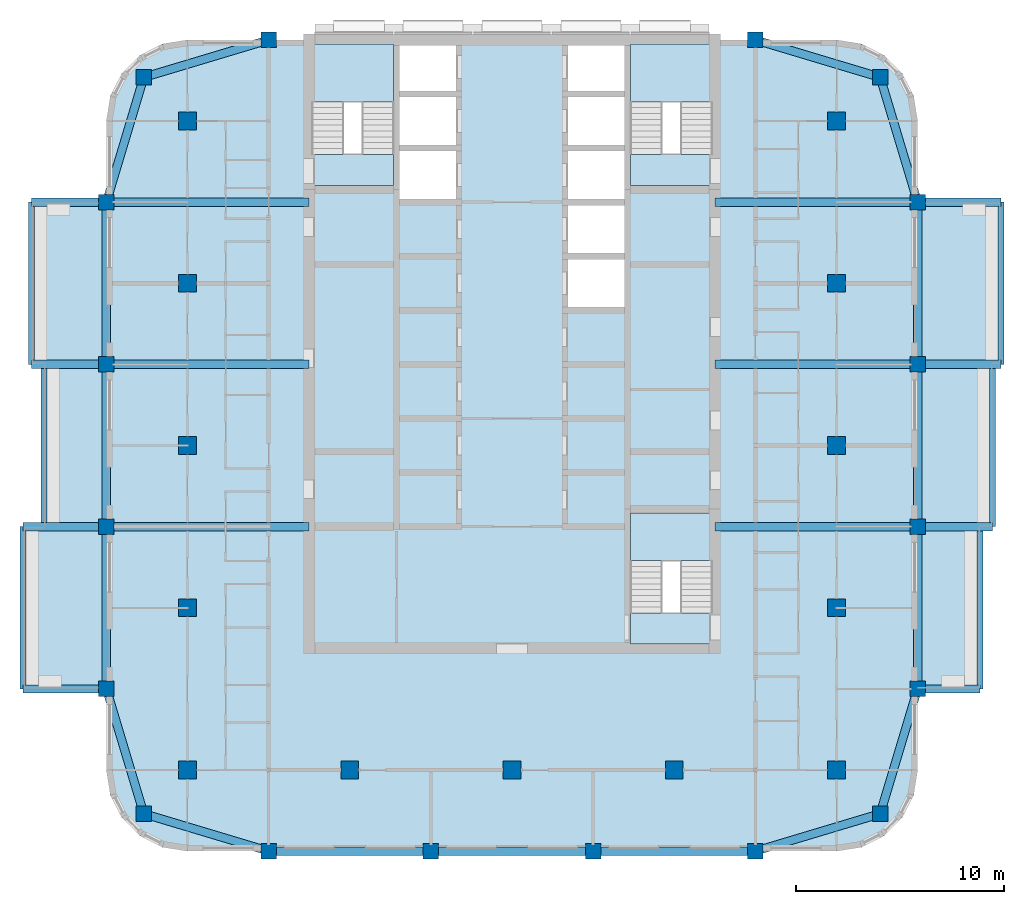
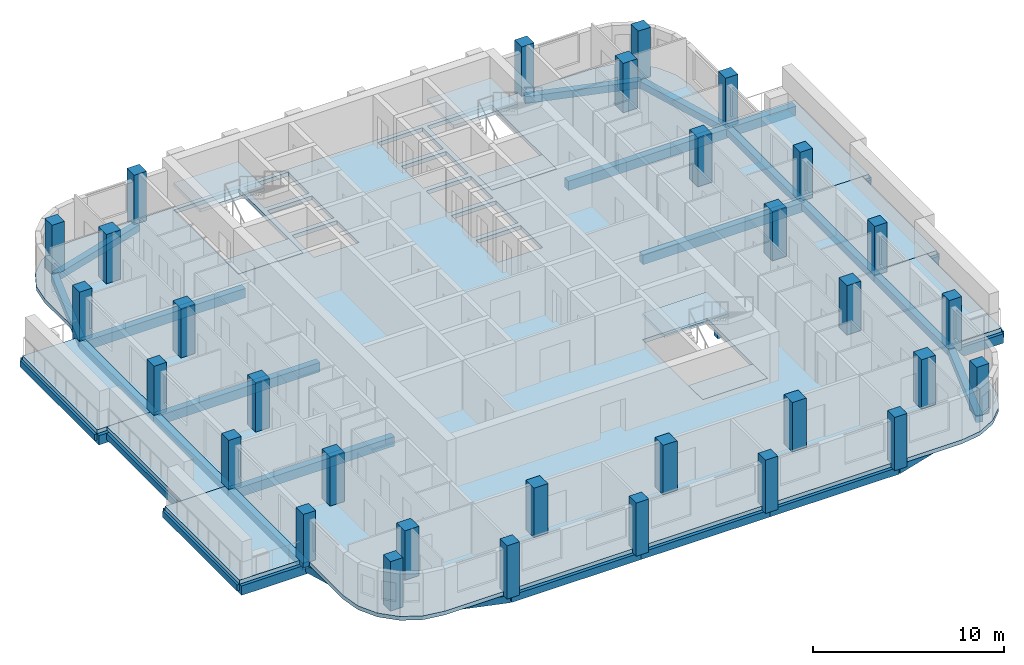
# One storey, part 1 of 13: 37 beams, 31 columns, 13 slabs, 3 elements without a shape of their own.
"""IFC4 building model written with IfcOpenShell, lengths in metres."""

from ifc_helpers import new_model, si_unit, direction, frame, origin, origin_2d, place, context, subcontext, project, spatial, polyline, rectangle, outline, extrude, material, layer, layer_set, material_profile, profile_set, type_object, element, aggregate, save


model = new_model("IFC4")

# Units and contexts
model_context = context("Model", 3, precision=1e-05, world=origin(), true_north=direction((0.0, 1.0)))
body_context = subcontext(model_context, "Body", "Model", "MODEL_VIEW")
ifc_project = project(units=[si_unit("LENGTHUNIT", "METRE"), si_unit("AREAUNIT", "SQUARE_METRE"), si_unit("VOLUMEUNIT", "CUBIC_METRE"), si_unit("PLANEANGLEUNIT", "RADIAN"), si_unit("MASSUNIT", "GRAM", prefix="KILO")], contexts=[model_context])

# Site, building, storey
site_placement = place(None, origin())
site = spatial("IfcSite", under=ifc_project, at=site_placement, CompositionType="ELEMENT")
building_placement = place(site_placement, origin())
building = spatial("IfcBuilding", under=site, at=building_placement, Name="Ludao Terraces", CompositionType="ELEMENT")
storey_placement = place(building_placement, frame((0.0, 0.0, 152.0)))
storey = spatial("IfcBuildingStorey", under=building, at=storey_placement, Name="L41", CompositionType="ELEMENT", Elevation=152.0)

# Columns
ifc_material_1 = material(Name="Concrete C45", Category="concrete")
ifc_material_profile_1 = material_profile(ifc_material_1, rectangle(XDim=0.75, YDim=0.75, at=origin_2d()), Name="750 X 750")
ifc_profile_set_1 = profile_set([ifc_material_profile_1], Name="Concrete C45")
column_type_1 = type_object("IfcColumnType", Name="RC column 750x750 C45", PredefinedType="COLUMN", material=ifc_profile_set_1)
for number, where, z_axis, x_axis, name in (
    (1, (67.300048828125, 47.300048828125, -0.25), (0.0, 0.0, 1.0), (1.0, 0.0, 0.0), "Column L41 C0057x0057"),
    (2, (102.699951171875, 47.300048828125, -0.25), (0.0, 0.0, 1.0), (1.0, 0.0, 0.0), "Column L41 C0411x0057"),
    (3, (67.300048828125, 82.699951171875, -0.25), (0.0, 0.0, 1.0), (1.0, 0.0, 0.0), "Column L41 C0057x0411"),
    (4, (102.699951171875, 82.699951171875, -0.25), (0.0, 0.0, 1.0), (1.0, 0.0, 0.0), "Column L41 C0411x0411"),
    (5, (65.5, 53.300048828125, -0.25), (0.0, 0.0, 1.0), (1.0, 0.0, 0.0), "Column L41 W0039x0117"),
    (6, (104.5, 53.300048828125, -0.25), (0.0, 0.0, 1.0), (1.0, 0.0, 0.0), "Column L41 W0429x0117"),
    (7, (73.300048828125, 45.5, -0.25), (0.0, 0.0, 1.0), (1.0, 0.0, 0.0), "Column L41 W0117x0039"),
    (8, (73.300048828125, 84.5, -0.25), (0.0, 0.0, 1.0), (1.0, 0.0, 0.0), "Column L41 W0117x0429"),
    (9, (65.5, 61.10009765625, -0.25), (0.0, 0.0, 1.0), (1.0, 0.0, 0.0), "Column L41 W0039x0195"),
    (10, (104.5, 61.10009765625, -0.25), (0.0, 0.0, 1.0), (1.0, 0.0, 0.0), "Column L41 W0429x0195"),
    (11, (81.10009765625, 45.5, -0.25), (0.0, 0.0, 1.0), (1.0, 0.0, 0.0), "Column L41 W0195x0039"),
    (12, (65.5, 68.89990234375, -0.25), (0.0, 0.0, 1.0), (1.0, 0.0, 0.0), "Column L41 W0039x0273"),
    (13, (104.5, 68.89990234375, -0.25), (0.0, 0.0, 1.0), (1.0, 0.0, 0.0), "Column L41 W0429x0273"),
    (14, (88.89990234375, 45.5, -0.25), (0.0, 0.0, 1.0), (1.0, 0.0, 0.0), "Column L41 W0273x0039"),
    (15, (65.5, 76.699951171875, -0.25), (0.0, 0.0, 1.0), (1.0, 0.0, 0.0), "Column L41 W0039x0351"),
    (16, (104.5, 76.699951171875, -0.25), (0.0, 0.0, 1.0), (1.0, 0.0, 0.0), "Column L41 W0429x0351"),
    (17, (96.699951171875, 45.5, -0.25), (0.0, 0.0, 1.0), (1.0, 0.0, 0.0), "Column L41 W0351x0039"),
    (18, (96.699951171875, 84.5, -0.25), (0.0, 0.0, 1.0), (1.0, 0.0, 0.0), "Column L41 W0351x0429"),
):
    element("IfcColumn", number, at=place(storey_placement, frame(where, z_axis=z_axis, x_axis=x_axis)), inside=storey, type_object=column_type_1, Name=name, PredefinedType="COLUMN", context=body_context, shape_type="SweptSolid", body=[
        extrude(rectangle(XDim=0.75, YDim=0.75, at=origin_2d()), origin(), (0.0, 0.0, 1.0), 3.39990234375),
    ])
ifc_material_profile_2 = material_profile(ifc_material_1, rectangle(XDim=0.85009765625, YDim=0.85009765625, at=origin_2d()), Name="850 X 850")
ifc_profile_set_2 = profile_set([ifc_material_profile_2], Name="Concrete C45")
column_type_2 = type_object("IfcColumnType", Name="RC column 850x850 C45", PredefinedType="COLUMN", material=ifc_profile_set_2)
for number, where, z_axis, x_axis, name in (
    (19, (69.39990234375, 49.39990234375, -0.25), (0.0, 0.0, 1.0), (1.0, 0.0, 0.0), "Column L41 S0078x0078"),
    (20, (69.39990234375, 57.199951171875, -0.25), (0.0, 0.0, 1.0), (1.0, 0.0, 0.0), "Column L41 S0078x0156"),
    (21, (69.39990234375, 65.0, -0.25), (0.0, 0.0, 1.0), (1.0, 0.0, 0.0), "Column L41 S0078x0234"),
    (22, (69.39990234375, 72.800048828125, -0.25), (0.0, 0.0, 1.0), (1.0, 0.0, 0.0), "Column L41 S0078x0312"),
    (23, (69.39990234375, 80.60009765625, -0.25), (0.0, 0.0, 1.0), (1.0, 0.0, 0.0), "Column L41 S0078x0390"),
    (24, (77.199951171875, 49.39990234375, -0.25), (0.0, 0.0, 1.0), (1.0, 0.0, 0.0), "Column L41 S0156x0078"),
    (25, (85.0, 49.39990234375, -0.25), (0.0, 0.0, 1.0), (1.0, 0.0, 0.0), "Column L41 S0234x0078"),
    (26, (92.800048828125, 49.39990234375, -0.25), (0.0, 0.0, 1.0), (1.0, 0.0, 0.0), "Column L41 S0312x0078"),
    (27, (100.60009765625, 49.39990234375, -0.25), (0.0, 0.0, 1.0), (1.0, 0.0, 0.0), "Column L41 S0390x0078"),
    (28, (100.60009765625, 57.199951171875, -0.25), (0.0, 0.0, 1.0), (1.0, 0.0, 0.0), "Column L41 S0390x0156"),
    (29, (100.60009765625, 65.0, -0.25), (0.0, 0.0, 1.0), (1.0, 0.0, 0.0), "Column L41 S0390x0234"),
    (30, (100.60009765625, 72.800048828125, -0.25), (0.0, 0.0, 1.0), (1.0, 0.0, 0.0), "Column L41 S0390x0312"),
    (31, (100.60009765625, 80.60009765625, -0.25), (0.0, 0.0, 1.0), (1.0, 0.0, 0.0), "Column L41 S0390x0390"),
):
    element("IfcColumn", number, at=place(storey_placement, frame(where, z_axis=z_axis, x_axis=x_axis)), inside=storey, type_object=column_type_2, Name=name, PredefinedType="COLUMN", context=body_context, shape_type="SweptSolid", body=[
        extrude(rectangle(XDim=0.85009765625, YDim=0.85009765625, at=origin_2d()), origin(), (0.0, 0.0, 1.0), 3.39990234375),
    ])

# Beams
ifc_material_2 = material(Name="Concrete C40", Category="concrete")
ifc_material_profile_3 = material_profile(ifc_material_2, rectangle(XDim=0.300048828125, YDim=0.39990234375, at=origin_2d()), Name="300 X 400")
ifc_profile_set_3 = profile_set([ifc_material_profile_3], Name="Concrete C40")
beam_type_1 = type_object("IfcBeamType", Name="RC beam 300x400 C40", PredefinedType="BEAM", material=ifc_profile_set_3)
beam_1_placement = place(storey_placement, frame((107.5, 53.300048828125, -0.449951171875), z_axis=(0.0, 1.0, 0.0), x_axis=(-1.0, 0.0, 0.0)))
element("IfcBeam", 32, at=beam_1_placement, inside=storey, type_object=beam_type_1, Name="Balcony edge beam L41 E1", PredefinedType="BEAM", context=body_context, shape_type="SweptSolid", body=[
    extrude(rectangle(XDim=0.300048828125, YDim=0.39990234375, at=origin_2d()), origin(), (0.0, 0.0, 1.0), 7.800048828125),
])
beam_2_placement = place(storey_placement, frame((108.10009765625, 61.10009765625, -0.449951171875), z_axis=(0.0, 1.0, 0.0), x_axis=(-1.0, 0.0, 0.0)))
element("IfcBeam", 33, at=beam_2_placement, inside=storey, type_object=beam_type_1, Name="Balcony edge beam L41 E2", PredefinedType="BEAM", context=body_context, shape_type="SweptSolid", body=[
    extrude(rectangle(XDim=0.300048828125, YDim=0.39990234375, at=origin_2d()), origin(), (0.0, 0.0, 1.0), 7.7998046875),
])
for number, where, z_axis, x_axis, name in (
    (34, (108.5, 68.89990234375, -0.449951171875), (0.0, 1.0, 0.0), (-1.0, 0.0, 0.0), "Balcony edge beam L41 E3"),
    (35, (61.5, 53.300048828125, -0.449951171875), (0.0, 1.0, 0.0), (-1.0, 0.0, 0.0), "Balcony edge beam L41 W1"),
):
    element("IfcBeam", number, at=place(storey_placement, frame(where, z_axis=z_axis, x_axis=x_axis)), inside=storey, type_object=beam_type_1, Name=name, PredefinedType="BEAM", context=body_context, shape_type="SweptSolid", body=[
        extrude(rectangle(XDim=0.300048828125, YDim=0.39990234375, at=origin_2d()), origin(), (0.0, 0.0, 1.0), 7.800048828125),
    ])
beam_3_placement = place(storey_placement, frame((62.5, 61.10009765625, -0.449951171875), z_axis=(0.0, 1.0, 0.0), x_axis=(-1.0, 0.0, 0.0)))
element("IfcBeam", 36, at=beam_3_placement, inside=storey, type_object=beam_type_1, Name="Balcony edge beam L41 W2", PredefinedType="BEAM", context=body_context, shape_type="SweptSolid", body=[
    extrude(rectangle(XDim=0.300048828125, YDim=0.39990234375, at=origin_2d()), origin(), (0.0, 0.0, 1.0), 7.7998046875),
])
beam_4_placement = place(storey_placement, frame((61.89990234375, 68.89990234375, -0.449951171875), z_axis=(0.0, 1.0, 0.0), x_axis=(-1.0, 0.0, 0.0)))
element("IfcBeam", 37, at=beam_4_placement, inside=storey, type_object=beam_type_1, Name="Balcony edge beam L41 W3", PredefinedType="BEAM", context=body_context, shape_type="SweptSolid", body=[
    extrude(rectangle(XDim=0.300048828125, YDim=0.39990234375, at=origin_2d()), origin(), (0.0, 0.0, 1.0), 7.800048828125),
])
ifc_material_profile_4 = material_profile(ifc_material_2, rectangle(XDim=0.39990234375, YDim=0.449951171875, at=origin_2d()), Name="400 X 450")
ifc_profile_set_4 = profile_set([ifc_material_profile_4], Name="Concrete C40")
beam_type_2 = type_object("IfcBeamType", Name="RC beam 400x450 C40", PredefinedType="BEAM", material=ifc_profile_set_4)
beam_5_placement = place(storey_placement, frame((67.300048828125, 47.300048828125, -0.47509765625), z_axis=(0.957824139839, -0.287355036744, 0.0), x_axis=(0.287355036744, 0.957824139839, 0.0)))
element("IfcBeam", 38, at=beam_5_placement, inside=storey, type_object=beam_type_2, Name="Spandrel beam L41 S1", PredefinedType="BEAM", context=body_context, shape_type="SweptSolid", body=[
    extrude(rectangle(XDim=0.39990234375, YDim=0.449951171875, at=origin_2d()), origin(), (0.0, 0.0, 1.0), 6.26416015625),
])
beam_6_placement = place(storey_placement, frame((73.300048828125, 45.5, -0.47509765625), z_axis=(1.0, 0.0, 0.0), x_axis=(0.0, 1.0, 0.0)))
element("IfcBeam", 39, at=beam_6_placement, inside=storey, type_object=beam_type_2, Name="Spandrel beam L41 S2", PredefinedType="BEAM", context=body_context, shape_type="SweptSolid", body=[
    extrude(rectangle(XDim=0.39990234375, YDim=0.449951171875, at=origin_2d()), origin(), (0.0, 0.0, 1.0), 7.800048828125),
])
beam_7_placement = place(storey_placement, frame((81.10009765625, 45.5, -0.47509765625), z_axis=(1.0, 0.0, 0.0), x_axis=(0.0, 1.0, 0.0)))
element("IfcBeam", 40, at=beam_7_placement, inside=storey, type_object=beam_type_2, Name="Spandrel beam L41 S3", PredefinedType="BEAM", context=body_context, shape_type="SweptSolid", body=[
    extrude(rectangle(XDim=0.39990234375, YDim=0.449951171875, at=origin_2d()), origin(), (0.0, 0.0, 1.0), 7.7998046875),
])
beam_8_placement = place(storey_placement, frame((88.89990234375, 45.5, -0.47509765625), z_axis=(1.0, 0.0, 0.0), x_axis=(0.0, 1.0, 0.0)))
element("IfcBeam", 41, at=beam_8_placement, inside=storey, type_object=beam_type_2, Name="Spandrel beam L41 S4", PredefinedType="BEAM", context=body_context, shape_type="SweptSolid", body=[
    extrude(rectangle(XDim=0.39990234375, YDim=0.449951171875, at=origin_2d()), origin(), (0.0, 0.0, 1.0), 7.800048828125),
])
for number, where, z_axis, x_axis, name in (
    (42, (96.699951171875, 45.5, -0.47509765625), (0.957824139839, 0.287355036744, 0.0), (-0.287355036744, 0.957824139839, 0.0), "Spandrel beam L41 S5"),
    (43, (67.300048828125, 82.699951171875, -0.47509765625), (0.957824139839, 0.287355036744, 0.0), (-0.287355036744, 0.957824139839, 0.0), "Spandrel beam L41 N6"),
    (44, (96.699951171875, 84.5, -0.47509765625), (0.957824139839, -0.287355036744, 0.0), (0.287355036744, 0.957824139839, 0.0), "Spandrel beam L41 N7"),
    (45, (67.300048828125, 47.300048828125, -0.47509765625), (-0.287355036744, 0.957824139839, 0.0), (-0.957824139839, -0.287355036744, 0.0), "Spandrel beam L41 W8"),
):
    element("IfcBeam", number, at=place(storey_placement, frame(where, z_axis=z_axis, x_axis=x_axis)), inside=storey, type_object=beam_type_2, Name=name, PredefinedType="BEAM", context=body_context, shape_type="SweptSolid", body=[
        extrude(rectangle(XDim=0.39990234375, YDim=0.449951171875, at=origin_2d()), origin(), (0.0, 0.0, 1.0), 6.26416015625),
    ])
beam_9_placement = place(storey_placement, frame((65.5, 53.300048828125, -0.47509765625), z_axis=(0.0, 1.0, 0.0), x_axis=(-1.0, 0.0, 0.0)))
element("IfcBeam", 46, at=beam_9_placement, inside=storey, type_object=beam_type_2, Name="Spandrel beam L41 W9", PredefinedType="BEAM", context=body_context, shape_type="SweptSolid", body=[
    extrude(rectangle(XDim=0.39990234375, YDim=0.449951171875, at=origin_2d()), origin(), (0.0, 0.0, 1.0), 7.800048828125),
])
beam_10_placement = place(storey_placement, frame((65.5, 61.10009765625, -0.47509765625), z_axis=(0.0, 1.0, 0.0), x_axis=(-1.0, 0.0, 0.0)))
element("IfcBeam", 47, at=beam_10_placement, inside=storey, type_object=beam_type_2, Name="Spandrel beam L41 W10", PredefinedType="BEAM", context=body_context, shape_type="SweptSolid", body=[
    extrude(rectangle(XDim=0.39990234375, YDim=0.449951171875, at=origin_2d()), origin(), (0.0, 0.0, 1.0), 7.7998046875),
])
beam_11_placement = place(storey_placement, frame((65.5, 68.89990234375, -0.47509765625), z_axis=(0.0, 1.0, 0.0), x_axis=(-1.0, 0.0, 0.0)))
element("IfcBeam", 48, at=beam_11_placement, inside=storey, type_object=beam_type_2, Name="Spandrel beam L41 W11", PredefinedType="BEAM", context=body_context, shape_type="SweptSolid", body=[
    extrude(rectangle(XDim=0.39990234375, YDim=0.449951171875, at=origin_2d()), origin(), (0.0, 0.0, 1.0), 7.800048828125),
])
for number, where, z_axis, x_axis, name in (
    (49, (65.5, 76.699951171875, -0.47509765625), (0.287355036744, 0.957824139839, 0.0), (-0.957824139839, 0.287355036744, 0.0), "Spandrel beam L41 W12"),
    (50, (102.699951171875, 47.300048828125, -0.47509765625), (0.287355036744, 0.957824139839, 0.0), (-0.957824139839, 0.287355036744, 0.0), "Spandrel beam L41 E13"),
):
    element("IfcBeam", number, at=place(storey_placement, frame(where, z_axis=z_axis, x_axis=x_axis)), inside=storey, type_object=beam_type_2, Name=name, PredefinedType="BEAM", context=body_context, shape_type="SweptSolid", body=[
        extrude(rectangle(XDim=0.39990234375, YDim=0.449951171875, at=origin_2d()), origin(), (0.0, 0.0, 1.0), 6.26416015625),
    ])
beam_12_placement = place(storey_placement, frame((104.5, 53.300048828125, -0.47509765625), z_axis=(0.0, 1.0, 0.0), x_axis=(-1.0, 0.0, 0.0)))
element("IfcBeam", 51, at=beam_12_placement, inside=storey, type_object=beam_type_2, Name="Spandrel beam L41 E14", PredefinedType="BEAM", context=body_context, shape_type="SweptSolid", body=[
    extrude(rectangle(XDim=0.39990234375, YDim=0.449951171875, at=origin_2d()), origin(), (0.0, 0.0, 1.0), 7.800048828125),
])
beam_13_placement = place(storey_placement, frame((104.5, 61.10009765625, -0.47509765625), z_axis=(0.0, 1.0, 0.0), x_axis=(-1.0, 0.0, 0.0)))
element("IfcBeam", 52, at=beam_13_placement, inside=storey, type_object=beam_type_2, Name="Spandrel beam L41 E15", PredefinedType="BEAM", context=body_context, shape_type="SweptSolid", body=[
    extrude(rectangle(XDim=0.39990234375, YDim=0.449951171875, at=origin_2d()), origin(), (0.0, 0.0, 1.0), 7.7998046875),
])
beam_14_placement = place(storey_placement, frame((104.5, 68.89990234375, -0.47509765625), z_axis=(0.0, 1.0, 0.0), x_axis=(-1.0, 0.0, 0.0)))
element("IfcBeam", 53, at=beam_14_placement, inside=storey, type_object=beam_type_2, Name="Spandrel beam L41 E16", PredefinedType="BEAM", context=body_context, shape_type="SweptSolid", body=[
    extrude(rectangle(XDim=0.39990234375, YDim=0.449951171875, at=origin_2d()), origin(), (0.0, 0.0, 1.0), 7.800048828125),
])
beam_15_placement = place(storey_placement, frame((104.5, 76.699951171875, -0.47509765625), z_axis=(-0.287355036744, 0.957824139839, 0.0), x_axis=(-0.957824139839, -0.287355036744, 0.0)))
element("IfcBeam", 54, at=beam_15_placement, inside=storey, type_object=beam_type_2, Name="Spandrel beam L41 E17", PredefinedType="BEAM", context=body_context, shape_type="SweptSolid", body=[
    extrude(rectangle(XDim=0.39990234375, YDim=0.449951171875, at=origin_2d()), origin(), (0.0, 0.0, 1.0), 6.26416015625),
])
ifc_material_profile_5 = material_profile(ifc_material_2, rectangle(XDim=0.39990234375, YDim=0.60009765625, at=origin_2d()), Name="400 X 600")
ifc_profile_set_5 = profile_set([ifc_material_profile_5], Name="Concrete C40")
beam_type_3 = type_object("IfcBeamType", Name="RC beam 400x600 C40", PredefinedType="BEAM", material=ifc_profile_set_5)
beam_16_placement = place(storey_placement, frame((104.5, 53.300048828125, -0.550048828125), z_axis=(1.0, 0.0, 0.0), x_axis=(0.0, 1.0, 0.0)))
element("IfcBeam", 55, at=beam_16_placement, inside=storey, type_object=beam_type_3, Name="Balcony beam L41 E533", PredefinedType="BEAM", context=body_context, shape_type="SweptSolid", body=[
    extrude(rectangle(XDim=0.39990234375, YDim=0.60009765625, at=origin_2d()), origin(), (0.0, 0.0, 1.0), 3.0),
])
beam_17_placement = place(storey_placement, frame((94.75, 61.10009765625, -0.550048828125), z_axis=(1.0, 0.0, 0.0), x_axis=(0.0, 1.0, 0.0)))
element("IfcBeam", 56, at=beam_17_placement, inside=storey, type_object=beam_type_3, Name="Balcony beam L41 E611", PredefinedType="BEAM", context=body_context, shape_type="SweptSolid", body=[
    extrude(rectangle(XDim=0.39990234375, YDim=0.60009765625, at=origin_2d()), origin(), (0.0, 0.0, 1.0), 9.75),
])
beam_18_placement = place(storey_placement, frame((104.5, 61.10009765625, -0.550048828125), z_axis=(1.0, 0.0, 0.0), x_axis=(0.0, 1.0, 0.0)))
element("IfcBeam", 57, at=beam_18_placement, inside=storey, type_object=beam_type_3, Name="Balcony beam L41 E611", PredefinedType="BEAM", context=body_context, shape_type="SweptSolid", body=[
    extrude(rectangle(XDim=0.39990234375, YDim=0.60009765625, at=origin_2d()), origin(), (0.0, 0.0, 1.0), 3.60009765625),
])
beam_19_placement = place(storey_placement, frame((94.75, 68.89990234375, -0.550048828125), z_axis=(1.0, 0.0, 0.0), x_axis=(0.0, 1.0, 0.0)))
element("IfcBeam", 58, at=beam_19_placement, inside=storey, type_object=beam_type_3, Name="Balcony beam L41 E689", PredefinedType="BEAM", context=body_context, shape_type="SweptSolid", body=[
    extrude(rectangle(XDim=0.39990234375, YDim=0.60009765625, at=origin_2d()), origin(), (0.0, 0.0, 1.0), 9.75),
])
beam_20_placement = place(storey_placement, frame((104.5, 68.89990234375, -0.550048828125), z_axis=(1.0, 0.0, 0.0), x_axis=(0.0, 1.0, 0.0)))
element("IfcBeam", 59, at=beam_20_placement, inside=storey, type_object=beam_type_3, Name="Balcony beam L41 E689", PredefinedType="BEAM", context=body_context, shape_type="SweptSolid", body=[
    extrude(rectangle(XDim=0.39990234375, YDim=0.60009765625, at=origin_2d()), origin(), (0.0, 0.0, 1.0), 4.0),
])
beam_21_placement = place(storey_placement, frame((94.75, 76.699951171875, -0.550048828125), z_axis=(1.0, 0.0, 0.0), x_axis=(0.0, 1.0, 0.0)))
element("IfcBeam", 60, at=beam_21_placement, inside=storey, type_object=beam_type_3, Name="Balcony beam L41 E767", PredefinedType="BEAM", context=body_context, shape_type="SweptSolid", body=[
    extrude(rectangle(XDim=0.39990234375, YDim=0.60009765625, at=origin_2d()), origin(), (0.0, 0.0, 1.0), 9.75),
])
for number, where, z_axis, x_axis, name in (
    (61, (104.5, 76.699951171875, -0.550048828125), (1.0, 0.0, 0.0), (0.0, 1.0, 0.0), "Balcony beam L41 E767"),
    (62, (65.5, 53.300048828125, -0.550048828125), (-1.0, 0.0, 0.0), (0.0, -1.0, 0.0), "Balcony beam L41 W533"),
):
    element("IfcBeam", number, at=place(storey_placement, frame(where, z_axis=z_axis, x_axis=x_axis)), inside=storey, type_object=beam_type_3, Name=name, PredefinedType="BEAM", context=body_context, shape_type="SweptSolid", body=[
        extrude(rectangle(XDim=0.39990234375, YDim=0.60009765625, at=origin_2d()), origin(), (0.0, 0.0, 1.0), 4.0),
    ])
beam_22_placement = place(storey_placement, frame((75.25, 61.10009765625, -0.550048828125), z_axis=(-1.0, 0.0, 0.0), x_axis=(0.0, -1.0, 0.0)))
element("IfcBeam", 63, at=beam_22_placement, inside=storey, type_object=beam_type_3, Name="Balcony beam L41 W611", PredefinedType="BEAM", context=body_context, shape_type="SweptSolid", body=[
    extrude(rectangle(XDim=0.39990234375, YDim=0.60009765625, at=origin_2d()), origin(), (0.0, 0.0, 1.0), 9.75),
])
beam_23_placement = place(storey_placement, frame((65.5, 61.10009765625, -0.550048828125), z_axis=(-1.0, 0.0, 0.0), x_axis=(0.0, -1.0, 0.0)))
element("IfcBeam", 64, at=beam_23_placement, inside=storey, type_object=beam_type_3, Name="Balcony beam L41 W611", PredefinedType="BEAM", context=body_context, shape_type="SweptSolid", body=[
    extrude(rectangle(XDim=0.39990234375, YDim=0.60009765625, at=origin_2d()), origin(), (0.0, 0.0, 1.0), 4.0),
])
beam_24_placement = place(storey_placement, frame((75.25, 68.89990234375, -0.550048828125), z_axis=(-1.0, 0.0, 0.0), x_axis=(0.0, -1.0, 0.0)))
element("IfcBeam", 65, at=beam_24_placement, inside=storey, type_object=beam_type_3, Name="Balcony beam L41 W689", PredefinedType="BEAM", context=body_context, shape_type="SweptSolid", body=[
    extrude(rectangle(XDim=0.39990234375, YDim=0.60009765625, at=origin_2d()), origin(), (0.0, 0.0, 1.0), 9.75),
])
beam_25_placement = place(storey_placement, frame((65.5, 68.89990234375, -0.550048828125), z_axis=(-1.0, 0.0, 0.0), x_axis=(0.0, -1.0, 0.0)))
element("IfcBeam", 66, at=beam_25_placement, inside=storey, type_object=beam_type_3, Name="Balcony beam L41 W689", PredefinedType="BEAM", context=body_context, shape_type="SweptSolid", body=[
    extrude(rectangle(XDim=0.39990234375, YDim=0.60009765625, at=origin_2d()), origin(), (0.0, 0.0, 1.0), 3.60009765625),
])
beam_26_placement = place(storey_placement, frame((75.25, 76.699951171875, -0.550048828125), z_axis=(-1.0, 0.0, 0.0), x_axis=(0.0, -1.0, 0.0)))
element("IfcBeam", 67, at=beam_26_placement, inside=storey, type_object=beam_type_3, Name="Balcony beam L41 W767", PredefinedType="BEAM", context=body_context, shape_type="SweptSolid", body=[
    extrude(rectangle(XDim=0.39990234375, YDim=0.60009765625, at=origin_2d()), origin(), (0.0, 0.0, 1.0), 9.75),
])
beam_27_placement = place(storey_placement, frame((65.5, 76.699951171875, -0.550048828125), z_axis=(-1.0, 0.0, 0.0), x_axis=(0.0, -1.0, 0.0)))
element("IfcBeam", 68, at=beam_27_placement, inside=storey, type_object=beam_type_3, Name="Balcony beam L41 W767", PredefinedType="BEAM", context=body_context, shape_type="SweptSolid", body=[
    extrude(rectangle(XDim=0.39990234375, YDim=0.60009765625, at=origin_2d()), origin(), (0.0, 0.0, 1.0), 3.60009765625),
])

# Slabs
ifc_layer_1 = layer(ifc_material_2, 0.25)
ifc_layer_set_1 = layer_set([ifc_layer_1], Name="Balcony slab 250 C40")
slab_type_1 = type_object("IfcSlabType", Name="Balcony slab 250 C40", PredefinedType="USERDEFINED", material=ifc_layer_set_1)
slab_1_placement = place(storey_placement, frame((0.0, 0.0, -0.25)))
element("IfcSlab", 69, at=slab_1_placement, inside=storey, type_object=slab_type_1, Name="Balcony L41 E1", ObjectType="BALCONY", PredefinedType="USERDEFINED", context=body_context, shape_type="SweptSolid", body=[
    extrude(outline(polyline([(104.5, 53.300048828125), (107.5, 53.300048828125), (107.5, 61.10009765625), (104.5, 61.10009765625), (104.5, 53.300048828125)])), origin(), (0.0, 0.0, 1.0), 0.25),
])
slab_2_placement = place(storey_placement, frame((0.0, 0.0, -0.25)))
element("IfcSlab", 70, at=slab_2_placement, inside=storey, type_object=slab_type_1, Name="Balcony L41 E2", ObjectType="BALCONY", PredefinedType="USERDEFINED", context=body_context, shape_type="SweptSolid", body=[
    extrude(outline(polyline([(104.5, 61.10009765625), (108.10009765625, 61.10009765625), (108.10009765625, 68.89990234375), (104.5, 68.89990234375), (104.5, 61.10009765625)])), origin(), (0.0, 0.0, 1.0), 0.25),
])
slab_3_placement = place(storey_placement, frame((0.0, 0.0, -0.25)))
element("IfcSlab", 71, at=slab_3_placement, inside=storey, type_object=slab_type_1, Name="Balcony L41 E3", ObjectType="BALCONY", PredefinedType="USERDEFINED", context=body_context, shape_type="SweptSolid", body=[
    extrude(outline(polyline([(104.5, 68.89990234375), (108.5, 68.89990234375), (108.5, 76.699951171875), (104.5, 76.699951171875), (104.5, 68.89990234375)])), origin(), (0.0, 0.0, 1.0), 0.25),
])
slab_4_placement = place(storey_placement, frame((0.0, 0.0, -0.25)))
element("IfcSlab", 72, at=slab_4_placement, inside=storey, type_object=slab_type_1, Name="Balcony L41 W1", ObjectType="BALCONY", PredefinedType="USERDEFINED", context=body_context, shape_type="SweptSolid", body=[
    extrude(outline(polyline([(61.5, 53.300048828125), (65.5, 53.300048828125), (65.5, 61.10009765625), (61.5, 61.10009765625), (61.5, 53.300048828125)])), origin(), (0.0, 0.0, 1.0), 0.25),
])
slab_5_placement = place(storey_placement, frame((0.0, 0.0, -0.25)))
element("IfcSlab", 73, at=slab_5_placement, inside=storey, type_object=slab_type_1, Name="Balcony L41 W2", ObjectType="BALCONY", PredefinedType="USERDEFINED", context=body_context, shape_type="SweptSolid", body=[
    extrude(outline(polyline([(62.5, 61.10009765625), (65.5, 61.10009765625), (65.5, 68.89990234375), (62.5, 68.89990234375), (62.5, 61.10009765625)])), origin(), (0.0, 0.0, 1.0), 0.25),
])
slab_6_placement = place(storey_placement, frame((0.0, 0.0, -0.25)))
element("IfcSlab", 74, at=slab_6_placement, inside=storey, type_object=slab_type_1, Name="Balcony L41 W3", ObjectType="BALCONY", PredefinedType="USERDEFINED", context=body_context, shape_type="SweptSolid", body=[
    extrude(outline(polyline([(61.89990234375, 68.89990234375), (65.5, 68.89990234375), (65.5, 76.699951171875), (61.89990234375, 76.699951171875), (61.89990234375, 68.89990234375)])), origin(), (0.0, 0.0, 1.0), 0.25),
])
ifc_layer_2 = layer(ifc_material_2, 0.25)
ifc_layer_set_2 = layer_set([ifc_layer_2], Name="Floor slab 250 C40")
slab_type_2 = type_object("IfcSlabType", Name="Floor slab 250 C40", PredefinedType="FLOOR", material=ifc_layer_set_2)
slab_7_placement = place(storey_placement, frame((0.0, 0.0, -0.25)))
element("IfcSlab", 75, at=slab_7_placement, inside=storey, type_object=slab_type_2, Name="Slab L41", PredefinedType="FLOOR", context=body_context, shape_type="SweptSolid", body=[
    extrude(outline(polyline([(100.60009765625, 45.5), (101.80517578125, 45.69091796875), (102.892333984375, 46.244873046875), (103.755126953125, 47.107666015625), (104.30908203125, 48.19482421875), (104.5, 49.39990234375), (104.5, 80.60009765625), (104.30908203125, 81.80517578125), (103.755126953125, 82.892333984375), (102.892333984375, 83.755126953125), (101.80517578125, 84.30908203125), (100.60009765625, 84.5), (69.39990234375, 84.5), (68.19482421875, 84.30908203125), (67.107666015625, 83.755126953125), (66.244873046875, 82.892333984375), (65.69091796875, 81.80517578125), (65.5, 80.60009765625), (65.5, 49.39990234375), (65.69091796875, 48.19482421875), (66.244873046875, 47.107666015625), (67.107666015625, 46.244873046875), (68.19482421875, 45.69091796875), (69.39990234375, 45.5), (100.60009765625, 45.5)]), holes=[polyline([(79.60009765625, 76.85009765625), (82.300048828125, 76.85009765625), (82.300048828125, 79.14990234375), (79.60009765625, 79.14990234375), (79.60009765625, 76.85009765625)]), polyline([(79.60009765625, 79.449951171875), (82.300048828125, 79.449951171875), (82.300048828125, 81.75), (79.60009765625, 81.75), (79.60009765625, 79.449951171875)]), polyline([(79.60009765625, 82.050048828125), (82.300048828125, 82.050048828125), (82.300048828125, 84.239990234375), (79.60009765625, 84.239990234375), (79.60009765625, 82.050048828125)]), polyline([(87.699951171875, 71.64990234375), (90.39990234375, 71.64990234375), (90.39990234375, 73.949951171875), (87.699951171875, 73.949951171875), (87.699951171875, 71.64990234375)]), polyline([(87.699951171875, 74.25), (90.39990234375, 74.25), (90.39990234375, 76.550048828125), (87.699951171875, 76.550048828125), (87.699951171875, 74.25)]), polyline([(87.699951171875, 76.85009765625), (90.39990234375, 76.85009765625), (90.39990234375, 79.14990234375), (87.699951171875, 79.14990234375), (87.699951171875, 76.85009765625)]), polyline([(87.699951171875, 79.449951171875), (90.39990234375, 79.449951171875), (90.39990234375, 81.75), (87.699951171875, 81.75), (87.699951171875, 79.449951171875)]), polyline([(87.699951171875, 82.050048828125), (90.39990234375, 82.050048828125), (90.39990234375, 84.239990234375), (87.699951171875, 84.239990234375), (87.699951171875, 82.050048828125)]), polyline([(75.39990234375, 77.5), (79.300048828125, 77.5), (79.300048828125, 84.239990234375), (75.39990234375, 84.239990234375), (75.39990234375, 77.5)]), polyline([(90.699951171875, 77.5), (94.60009765625, 77.5), (94.60009765625, 84.239990234375), (90.699951171875, 84.239990234375), (90.699951171875, 77.5)]), polyline([(90.699951171875, 55.449951171875), (94.60009765625, 55.449951171875), (94.60009765625, 61.75), (90.699951171875, 61.75), (90.699951171875, 55.449951171875)])]), origin(), (0.0, 0.0, 1.0), 0.25),
])

# Stair, slabs
stair_type = type_object("IfcStairType", Name="INT Stair", PredefinedType="HALF_TURN_STAIR", material=ifc_material_2)
stair_1_placement = place(storey_placement, origin())
stair_1 = element("IfcStair", 76, at=stair_1_placement, inside=storey, type_object=stair_type, Name="EXIT STAIR 1", PredefinedType="HALF_TURN_STAIR")
ifc_layer_3 = layer(ifc_material_2, 0.199951171875)
ifc_layer_set_3 = layer_set([ifc_layer_3], Name="INT Stair landing 200")
slab_type_3 = type_object("IfcSlabType", Name="INT Stair landing 200", PredefinedType="LANDING", material=ifc_layer_set_3)
slab_8_placement = place(storey_placement, frame((0.0, 0.0, 1.5)))
slab_8 = element("IfcSlab", 77, at=slab_8_placement, type_object=slab_type_3, Name="ST1 landing 1", PredefinedType="LANDING", context=body_context, shape_type="SweptSolid", body=[
    extrude(outline(polyline([(75.39990234375, 81.52001953125), (79.300048828125, 81.52001953125), (79.300048828125, 84.300048828125), (75.39990234375, 84.300048828125), (75.39990234375, 81.52001953125)])), origin(), (0.0, 0.0, 1.0), 0.199951171875),
])
slab_9_placement = place(storey_placement, frame((0.0, 0.0, -0.199951171875)))
slab_9 = element("IfcSlab", 78, at=slab_9_placement, type_object=slab_type_3, Name="ST1 landing 2", PredefinedType="LANDING", context=body_context, shape_type="SweptSolid", body=[
    extrude(outline(polyline([(75.39990234375, 77.5), (79.300048828125, 77.5), (79.300048828125, 79.0), (75.39990234375, 79.0), (75.39990234375, 77.5)])), origin(), (0.0, 0.0, 1.0), 0.199951171875),
])
aggregate(stair_1, [slab_8, slab_9])

stair_2_placement = place(storey_placement, origin())
stair_2 = element("IfcStair", 79, at=stair_2_placement, inside=storey, type_object=stair_type, Name="EXIT STAIR 2", PredefinedType="HALF_TURN_STAIR")
slab_10_placement = place(storey_placement, frame((0.0, 0.0, 1.5)))
slab_10 = element("IfcSlab", 80, at=slab_10_placement, type_object=slab_type_3, Name="ST2 landing 1", PredefinedType="LANDING", context=body_context, shape_type="SweptSolid", body=[
    extrude(outline(polyline([(90.699951171875, 81.52001953125), (94.60009765625, 81.52001953125), (94.60009765625, 84.300048828125), (90.699951171875, 84.300048828125), (90.699951171875, 81.52001953125)])), origin(), (0.0, 0.0, 1.0), 0.199951171875),
])
slab_11_placement = place(storey_placement, frame((0.0, 0.0, -0.199951171875)))
slab_11 = element("IfcSlab", 81, at=slab_11_placement, type_object=slab_type_3, Name="ST2 landing 2", PredefinedType="LANDING", context=body_context, shape_type="SweptSolid", body=[
    extrude(outline(polyline([(90.699951171875, 77.5), (94.60009765625, 77.5), (94.60009765625, 79.0), (90.699951171875, 79.0), (90.699951171875, 77.5)])), origin(), (0.0, 0.0, 1.0), 0.199951171875),
])
aggregate(stair_2, [slab_10, slab_11])

stair_3_placement = place(storey_placement, origin())
stair_3 = element("IfcStair", 82, at=stair_3_placement, inside=storey, type_object=stair_type, Name="EXIT STAIR 3", PredefinedType="HALF_TURN_STAIR")
slab_12_placement = place(storey_placement, frame((0.0, 0.0, 1.5)))
slab_12 = element("IfcSlab", 83, at=slab_12_placement, type_object=slab_type_3, Name="ST3 landing 1", PredefinedType="LANDING", context=body_context, shape_type="SweptSolid", body=[
    extrude(outline(polyline([(90.699951171875, 59.469970703125), (94.60009765625, 59.469970703125), (94.60009765625, 61.75), (90.699951171875, 61.75), (90.699951171875, 59.469970703125)])), origin(), (0.0, 0.0, 1.0), 0.199951171875),
])
slab_13_placement = place(storey_placement, frame((0.0, 0.0, -0.199951171875)))
slab_13 = element("IfcSlab", 84, at=slab_13_placement, type_object=slab_type_3, Name="ST3 landing 2", PredefinedType="LANDING", context=body_context, shape_type="SweptSolid", body=[
    extrude(outline(polyline([(90.699951171875, 55.449951171875), (94.60009765625, 55.449951171875), (94.60009765625, 56.949951171875), (90.699951171875, 56.949951171875), (90.699951171875, 55.449951171875)])), origin(), (0.0, 0.0, 1.0), 0.199951171875),
])
aggregate(stair_3, [slab_12, slab_13])

save(model, "model.ifc")
